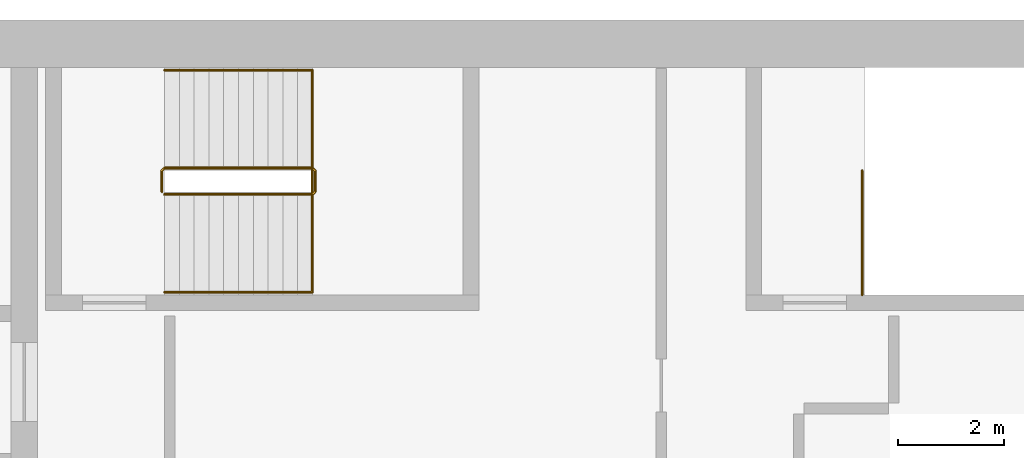
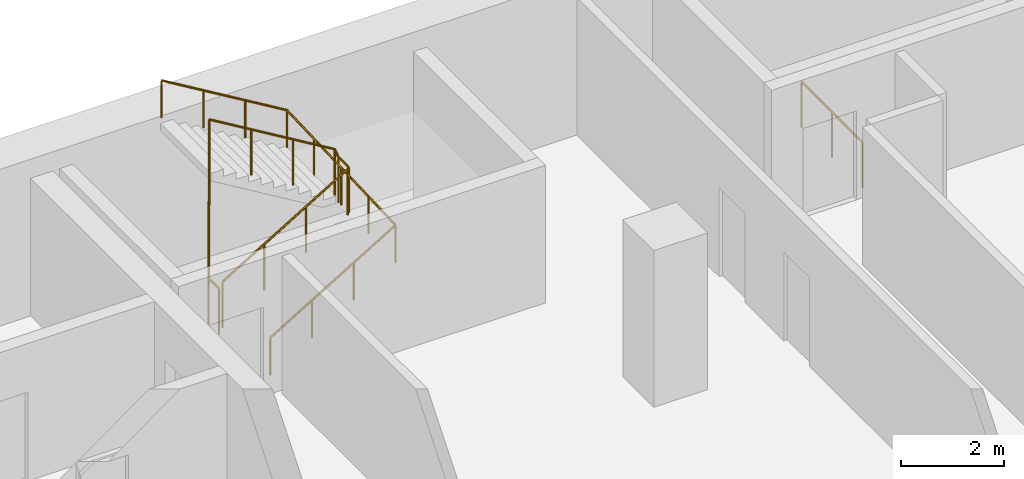
# One storey, part 22 of 22: 3 railings.
"""IFC4 building model written with IfcOpenShell, lengths in metres."""

from ifc_helpers import new_model, si_unit, direction, frame, origin, origin_2d, place, context, subcontext, project, spatial, circle, extrude, material, type_object, element, save


model = new_model("IFC4")

# Units and contexts
model_context = context("Model", 3, precision=1e-05, world=origin(), true_north=direction((0.0, 1.0)))
body_context = subcontext(model_context, "Body", "Model", "MODEL_VIEW")
ifc_project = project(units=[si_unit("LENGTHUNIT", "METRE"), si_unit("AREAUNIT", "SQUARE_METRE"), si_unit("VOLUMEUNIT", "CUBIC_METRE"), si_unit("PLANEANGLEUNIT", "RADIAN"), si_unit("MASSUNIT", "GRAM", prefix="KILO")], contexts=[model_context])

# Site, building, storey
site_placement = place(None, origin())
site = spatial("IfcSite", under=ifc_project, at=site_placement, CompositionType="ELEMENT")
building_placement = place(site_placement, origin())
building = spatial("IfcBuilding", under=site, at=building_placement, Name="Hunhe Ridgeline Campus", CompositionType="ELEMENT")
storey_placement = place(building_placement, frame((0.0, 0.0, 174.5)))
storey = spatial("IfcBuildingStorey", under=building, at=storey_placement, Name="L44", CompositionType="ELEMENT", Elevation=174.5)

# Railings
ifc_material_1 = material(Name="Stainless steel balustrade", Category="steel")
railing_type_1 = type_object("IfcRailingType", Name="Stair guard 1100 stainless", PredefinedType="GUARDRAIL", material=ifc_material_1)
railing_1_placement = place(storey_placement, frame((38.39990234375, 95.699951171875, 0.168212890625)))
element("IfcRailing", 1, at=railing_1_placement, inside=storey, type_object=railing_type_1, Name="L44 stair E1 guard", PredefinedType="GUARDRAIL", context=body_context, shape_type="SweptSolid", body=[
    extrude(circle(Radius=0.02392578125, at=origin_2d()), frame((0.0, 0.0, 1.076171875), z_axis=(0.857242210791, 0.0, 0.514913383045), x_axis=(0.0, 1.0, 0.0)), (0.0, 0.0, 1.0), 3.266357421875),
    extrude(circle(Radius=0.02392578125, at=origin_2d()), frame((2.800048828125, 0.0, 2.7578125), z_axis=(0.707106781187, 0.707106781187, 0.0), x_axis=(-0.707106781187, 0.707106781187, 0.0)), (0.0, 0.0, 1.0), 0.07080078125),
    extrude(circle(Radius=0.02392578125, at=origin_2d()), frame((2.85009765625, 0.050048828125, 2.7578125), z_axis=(0.0, 1.0, 0.0), x_axis=(-1.0, 0.0, 0.0)), (0.0, 0.0, 1.0), 0.39990234375),
    extrude(circle(Radius=0.02392578125, at=origin_2d()), frame((2.85009765625, 0.449951171875, 2.7578125), z_axis=(-0.274582412415, 0.274582412415, 0.921525364591), x_axis=(-0.707106781187, -0.707106781187, 0.0)), (0.0, 0.0, 1.0), 0.182373046875),
    extrude(circle(Radius=0.02392578125, at=origin_2d()), frame((2.800048828125, 0.5, 2.92578125), z_axis=(-0.857242210791, 0.0, 0.514913383045), x_axis=(0.0, -1.0, 0.0)), (0.0, 0.0, 1.0), 3.266357421875),
    extrude(circle(Radius=0.02392578125, at=origin_2d()), frame((0.0, 0.5, 4.60791015625), z_axis=(-0.013458453615, -0.013524426427, -0.999817963389), x_axis=(0.708833529934, -0.705375805398, 0.0)), (0.0, 0.0, 1.0), 3.70068359375),
    extrude(circle(Radius=0.02392578125, at=origin_2d()), frame((-0.0498046875, 0.449951171875, 0.90771484375), z_axis=(0.0, -1.0, 0.0), x_axis=(1.0, 0.0, 0.0)), (0.0, 0.0, 1.0), 0.39990234375),
    extrude(circle(Radius=0.02099609375, at=origin_2d()), origin(), (0.0, 0.0, 1.0), 1.052001953125),
    extrude(circle(Radius=0.02099609375, at=origin_2d()), frame((0.933349609375, 0.0, 0.560546875)), (0.0, 0.0, 1.0), 1.052001953125),
    extrude(circle(Radius=0.02099609375, at=origin_2d()), frame((1.86669921875, 0.0, 1.121337890625)), (0.0, 0.0, 1.0), 1.052001953125),
    extrude(circle(Radius=0.02099609375, at=origin_2d()), frame((2.800048828125, 0.0, 1.681884765625)), (0.0, 0.0, 1.0), 1.052001953125),
    extrude(circle(Radius=0.02099609375, at=origin_2d()), frame((2.85009765625, 0.050048828125, 1.681884765625)), (0.0, 0.0, 1.0), 1.052001953125),
    extrude(circle(Radius=0.02099609375, at=origin_2d()), frame((2.85009765625, 0.449951171875, 1.681884765625)), (0.0, 0.0, 1.0), 1.052001953125),
    extrude(circle(Radius=0.02099609375, at=origin_2d()), frame((2.800048828125, 0.5, 1.849853515625)), (0.0, 0.0, 1.0), 1.052001953125),
    extrude(circle(Radius=0.02099609375, at=origin_2d()), frame((1.86669921875, 0.5, 2.410400390625)), (0.0, 0.0, 1.0), 1.052001953125),
    extrude(circle(Radius=0.02099609375, at=origin_2d()), frame((0.933349609375, 0.5, 2.97119140625)), (0.0, 0.0, 1.0), 1.052001953125),
    extrude(circle(Radius=0.02099609375, at=origin_2d()), frame((0.0, 0.5, 3.53173828125)), (0.0, 0.0, 1.0), 1.052001953125),
    extrude(circle(Radius=0.02099609375, at=origin_2d()), frame((-0.012451171875, 0.487548828125, 2.606689453125)), (0.0, 0.0, 1.0), 1.052001953125),
    extrude(circle(Radius=0.02099609375, at=origin_2d()), frame((-0.02490234375, 0.47509765625, 1.681640625)), (0.0, 0.0, 1.0), 1.052001953125),
    extrude(circle(Radius=0.02099609375, at=origin_2d()), frame((-0.037353515625, 0.46240234375, 0.7568359375)), (0.0, 0.0, 1.0), 1.052001953125),
    extrude(circle(Radius=0.02099609375, at=origin_2d()), frame((-0.0498046875, 0.449951171875, -0.168212890625)), (0.0, 0.0, 1.0), 1.052001953125),
    extrude(circle(Radius=0.02099609375, at=origin_2d()), frame((-0.0498046875, 0.050048828125, -0.168212890625)), (0.0, 0.0, 1.0), 1.052001953125),
])
railing_2_placement = place(storey_placement, frame((51.60009765625, 93.800048828125, 0.0)))
element("IfcRailing", 2, at=railing_2_placement, inside=storey, type_object=railing_type_1, Name="L44 stair E2 top guard 1", PredefinedType="GUARDRAIL", context=body_context, shape_type="SweptSolid", body=[
    extrude(circle(Radius=0.02392578125, at=origin_2d()), frame((0.0, 0.0, 1.076171875), z_axis=(0.0, 1.0, 0.0), x_axis=(-1.0, 0.0, 0.0)), (0.0, 0.0, 1.0), 2.349853515625),
    extrude(circle(Radius=0.02099609375, at=origin_2d()), origin(), (0.0, 0.0, 1.0), 1.052001953125),
    extrude(circle(Radius=0.02099609375, at=origin_2d()), frame((0.0, 1.1748046875, 0.0)), (0.0, 0.0, 1.0), 1.052001953125),
    extrude(circle(Radius=0.02099609375, at=origin_2d()), frame((0.0, 2.349853515625, 0.0)), (0.0, 0.0, 1.0), 1.052001953125),
])
ifc_material_2 = material(Name="Stainless steel handrail", Category="steel")
railing_type_2 = type_object("IfcRailingType", Name="Stair handrail 900 stainless", PredefinedType="HANDRAIL", material=ifc_material_2)
railing_3_placement = place(storey_placement, frame((38.39990234375, 93.85009765625, 0.168212890625)))
element("IfcRailing", 3, at=railing_3_placement, inside=storey, type_object=railing_type_2, Name="L44 stair E1 handrail", PredefinedType="HANDRAIL", context=body_context, shape_type="SweptSolid", body=[
    extrude(circle(Radius=0.02392578125, at=origin_2d()), frame((0.0, 0.0, 0.8759765625), z_axis=(0.857242210791, 0.0, 0.514913383045), x_axis=(0.0, 1.0, 0.0)), (0.0, 0.0, 1.0), 3.266357421875),
    extrude(circle(Radius=0.02392578125, at=origin_2d()), frame((2.800048828125, 0.0, 2.5576171875), z_axis=(0.0, 0.99920123705, 0.039961079526), x_axis=(-1.0, 0.0, 0.0)), (0.0, 0.0, 1.0), 4.203369140625),
    extrude(circle(Radius=0.02392578125, at=origin_2d()), frame((2.800048828125, 4.199951171875, 2.7255859375), z_axis=(-0.857242210791, 0.0, 0.514913383045), x_axis=(0.0, -1.0, 0.0)), (0.0, 0.0, 1.0), 3.266357421875),
    extrude(circle(Radius=0.02099609375, at=origin_2d()), origin(), (0.0, 0.0, 1.0), 0.851806640625),
    extrude(circle(Radius=0.02099609375, at=origin_2d()), frame((0.933349609375, 0.0, 0.560546875)), (0.0, 0.0, 1.0), 0.851806640625),
    extrude(circle(Radius=0.02099609375, at=origin_2d()), frame((1.86669921875, 0.0, 1.121337890625)), (0.0, 0.0, 1.0), 0.851806640625),
    extrude(circle(Radius=0.02099609375, at=origin_2d()), frame((2.800048828125, 0.0, 1.681884765625)), (0.0, 0.0, 1.0), 0.851806640625),
    extrude(circle(Radius=0.02099609375, at=origin_2d()), frame((2.800048828125, 1.050048828125, 1.723876953125)), (0.0, 0.0, 1.0), 0.851806640625),
    extrude(circle(Radius=0.02099609375, at=origin_2d()), frame((2.800048828125, 2.10009765625, 1.765869140625)), (0.0, 0.0, 1.0), 0.851806640625),
    extrude(circle(Radius=0.02099609375, at=origin_2d()), frame((2.800048828125, 3.14990234375, 1.807861328125)), (0.0, 0.0, 1.0), 0.851806640625),
    extrude(circle(Radius=0.02099609375, at=origin_2d()), frame((2.800048828125, 4.199951171875, 1.849853515625)), (0.0, 0.0, 1.0), 0.851806640625),
    extrude(circle(Radius=0.02099609375, at=origin_2d()), frame((1.86669921875, 4.199951171875, 2.410400390625)), (0.0, 0.0, 1.0), 0.851806640625),
    extrude(circle(Radius=0.02099609375, at=origin_2d()), frame((0.933349609375, 4.199951171875, 2.97119140625)), (0.0, 0.0, 1.0), 0.851806640625),
    extrude(circle(Radius=0.02099609375, at=origin_2d()), frame((0.0, 4.199951171875, 3.53173828125)), (0.0, 0.0, 1.0), 0.851806640625),
])

save(model, "model.ifc")
